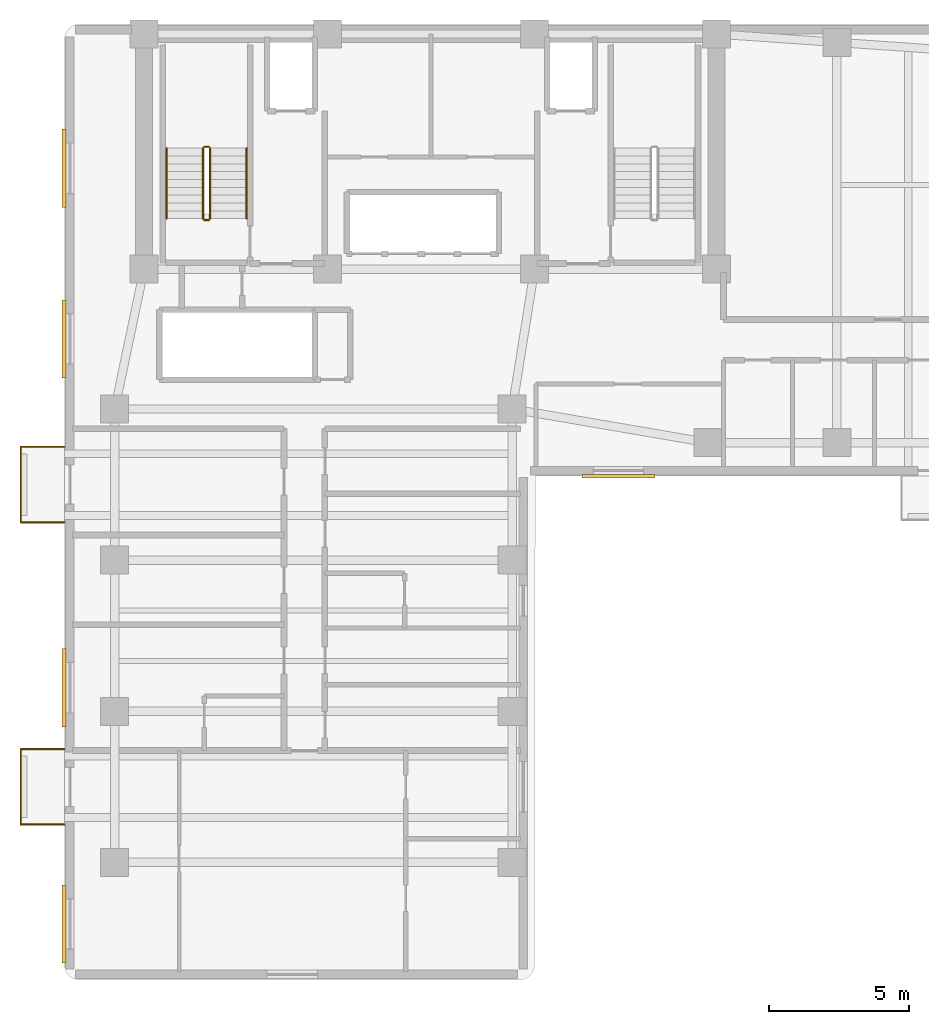
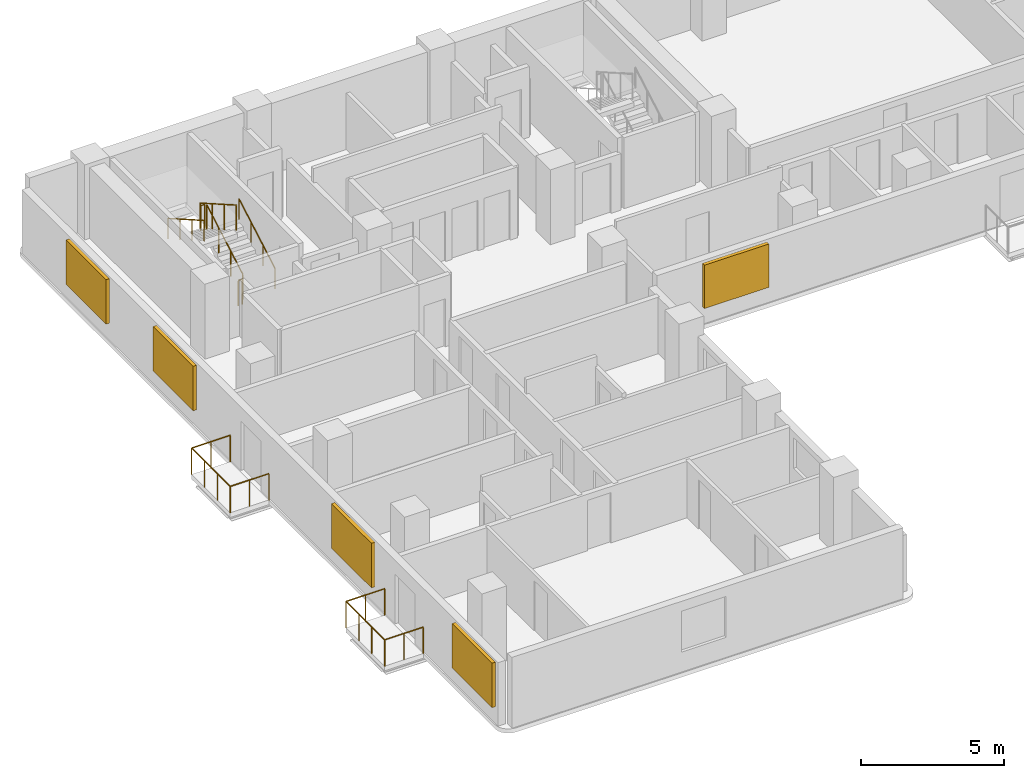
# One storey, part 6 of 7: 12 railings, 5 shading devices.
"""IFC4 building model written with IfcOpenShell, lengths in metres."""

from ifc_helpers import new_model, si_unit, direction, frame, origin, origin_2d, place, context, subcontext, project, spatial, rectangle, circle, extrude, material, layer, layer_set, type_object, element, save


model = new_model("IFC4")

# Units and contexts
model_context = context("Model", 3, precision=1e-05, world=origin(), true_north=direction((0.0, 1.0)))
body_context = subcontext(model_context, "Body", "Model", "MODEL_VIEW")
ifc_project = project(units=[si_unit("LENGTHUNIT", "METRE"), si_unit("AREAUNIT", "SQUARE_METRE"), si_unit("VOLUMEUNIT", "CUBIC_METRE"), si_unit("PLANEANGLEUNIT", "RADIAN"), si_unit("MASSUNIT", "GRAM", prefix="KILO")], contexts=[model_context])

# Site, building, storey
site_placement = place(None, origin())
site = spatial("IfcSite", under=ifc_project, at=site_placement, CompositionType="ELEMENT")
building_placement = place(site_placement, origin())
building = spatial("IfcBuilding", under=site, at=building_placement, Name="Kuzgunbayir Cultural Tower", CompositionType="ELEMENT")
storey_placement = place(building_placement, frame((0.0, 0.0, 120.199951171875)))
storey = spatial("IfcBuildingStorey", under=building, at=storey_placement, Name="L34", CompositionType="ELEMENT", Elevation=120.199951171875)

# Railings
ifc_material_1 = material(Name="Laminated Glass and Stainless Steel", Category="steel")
ifc_layer_1 = layer(ifc_material_1, 0.080078125)
ifc_layer_set_1 = layer_set([ifc_layer_1], Name="Laminated Glass and Stainless Steel")
railing_type_1 = type_object("IfcRailingType", Name="RLG-BAL-115", PredefinedType="BALUSTRADE", material=ifc_layer_set_1)
railing_1_placement = place(storey_placement, frame((3.60009765625, 13.949951171875, 0.0)))
element("IfcRailing", 1, at=railing_1_placement, inside=storey, type_object=railing_type_1, Name="L34 Balcony Guard BAL-L34-WA1 Segment 1", PredefinedType="BALUSTRADE", context=body_context, shape_type="SweptSolid", body=[
    extrude(circle(Radius=0.02392578125, at=origin_2d()), frame((0.0, 0.0, 1.1259765625), z_axis=(-1.0, 0.0, 0.0), x_axis=(0.0, -1.0, 0.0)), (0.0, 0.0, 1.0), 1.56005859375),
    extrude(circle(Radius=0.02099609375, at=origin_2d()), origin(), (0.0, 0.0, 1.0), 1.101806640625),
    extrude(circle(Radius=0.02099609375, at=origin_2d()), frame((-0.780029296875, 0.0, 0.0)), (0.0, 0.0, 1.0), 1.101806640625),
    extrude(circle(Radius=0.02099609375, at=origin_2d()), frame((-1.56005859375, 0.0, 0.0)), (0.0, 0.0, 1.0), 1.101806640625),
])
railing_2_placement = place(storey_placement, frame((2.0400390625, 13.949951171875, 0.0)))
element("IfcRailing", 2, at=railing_2_placement, inside=storey, type_object=railing_type_1, Name="L34 Balcony Guard BAL-L34-WA1 Segment 2", PredefinedType="BALUSTRADE", context=body_context, shape_type="SweptSolid", body=[
    extrude(circle(Radius=0.02392578125, at=origin_2d()), frame((0.0, 0.0, 1.1259765625), z_axis=(0.0, 1.0, 0.0), x_axis=(-1.0, 0.0, 0.0)), (0.0, 0.0, 1.0), 2.699951171875),
    extrude(circle(Radius=0.02099609375, at=origin_2d()), origin(), (0.0, 0.0, 1.0), 1.101806640625),
    extrude(circle(Radius=0.02099609375, at=origin_2d()), frame((0.0, 0.89990234375, 0.0)), (0.0, 0.0, 1.0), 1.101806640625),
    extrude(circle(Radius=0.02099609375, at=origin_2d()), frame((0.0, 1.800048828125, 0.0)), (0.0, 0.0, 1.0), 1.101806640625),
    extrude(circle(Radius=0.02099609375, at=origin_2d()), frame((0.0, 2.699951171875, 0.0)), (0.0, 0.0, 1.0), 1.101806640625),
])
railing_3_placement = place(storey_placement, frame((2.0400390625, 16.64990234375, 0.0)))
element("IfcRailing", 3, at=railing_3_placement, inside=storey, type_object=railing_type_1, Name="L34 Balcony Guard BAL-L34-WA1 Segment 3", PredefinedType="BALUSTRADE", context=body_context, shape_type="SweptSolid", body=[
    extrude(circle(Radius=0.02392578125, at=origin_2d()), frame((0.0, 0.0, 1.1259765625), z_axis=(1.0, 0.0, 0.0), x_axis=(0.0, 1.0, 0.0)), (0.0, 0.0, 1.0), 1.56005859375),
    extrude(circle(Radius=0.02099609375, at=origin_2d()), origin(), (0.0, 0.0, 1.0), 1.101806640625),
    extrude(circle(Radius=0.02099609375, at=origin_2d()), frame((0.780029296875, 0.0, 0.0)), (0.0, 0.0, 1.0), 1.101806640625),
    extrude(circle(Radius=0.02099609375, at=origin_2d()), frame((1.56005859375, 0.0, 0.0)), (0.0, 0.0, 1.0), 1.101806640625),
])
railing_4_placement = place(storey_placement, frame((3.60009765625, 24.75, 0.0)))
element("IfcRailing", 4, at=railing_4_placement, inside=storey, type_object=railing_type_1, Name="L34 Balcony Guard BAL-L34-WA3 Segment 1", PredefinedType="BALUSTRADE", context=body_context, shape_type="SweptSolid", body=[
    extrude(circle(Radius=0.02392578125, at=origin_2d()), frame((0.0, 0.0, 1.1259765625), z_axis=(-1.0, 0.0, 0.0), x_axis=(0.0, -1.0, 0.0)), (0.0, 0.0, 1.0), 1.56005859375),
    extrude(circle(Radius=0.02099609375, at=origin_2d()), origin(), (0.0, 0.0, 1.0), 1.101806640625),
    extrude(circle(Radius=0.02099609375, at=origin_2d()), frame((-0.780029296875, 0.0, 0.0)), (0.0, 0.0, 1.0), 1.101806640625),
    extrude(circle(Radius=0.02099609375, at=origin_2d()), frame((-1.56005859375, 0.0, 0.0)), (0.0, 0.0, 1.0), 1.101806640625),
])
railing_5_placement = place(storey_placement, frame((2.0400390625, 24.75, 0.0)))
element("IfcRailing", 5, at=railing_5_placement, inside=storey, type_object=railing_type_1, Name="L34 Balcony Guard BAL-L34-WA3 Segment 2", PredefinedType="BALUSTRADE", context=body_context, shape_type="SweptSolid", body=[
    extrude(circle(Radius=0.02392578125, at=origin_2d()), frame((0.0, 0.0, 1.1259765625), z_axis=(0.0, 1.0, 0.0), x_axis=(-1.0, 0.0, 0.0)), (0.0, 0.0, 1.0), 2.699951171875),
    extrude(circle(Radius=0.02099609375, at=origin_2d()), origin(), (0.0, 0.0, 1.0), 1.101806640625),
    extrude(circle(Radius=0.02099609375, at=origin_2d()), frame((0.0, 0.89990234375, 0.0)), (0.0, 0.0, 1.0), 1.101806640625),
    extrude(circle(Radius=0.02099609375, at=origin_2d()), frame((0.0, 1.800048828125, 0.0)), (0.0, 0.0, 1.0), 1.101806640625),
    extrude(circle(Radius=0.02099609375, at=origin_2d()), frame((0.0, 2.699951171875, 0.0)), (0.0, 0.0, 1.0), 1.101806640625),
])
railing_6_placement = place(storey_placement, frame((2.0400390625, 27.449951171875, 0.0)))
element("IfcRailing", 6, at=railing_6_placement, inside=storey, type_object=railing_type_1, Name="L34 Balcony Guard BAL-L34-WA3 Segment 3", PredefinedType="BALUSTRADE", context=body_context, shape_type="SweptSolid", body=[
    extrude(circle(Radius=0.02392578125, at=origin_2d()), frame((0.0, 0.0, 1.1259765625), z_axis=(1.0, 0.0, 0.0), x_axis=(0.0, 1.0, 0.0)), (0.0, 0.0, 1.0), 1.56005859375),
    extrude(circle(Radius=0.02099609375, at=origin_2d()), origin(), (0.0, 0.0, 1.0), 1.101806640625),
    extrude(circle(Radius=0.02099609375, at=origin_2d()), frame((0.780029296875, 0.0, 0.0)), (0.0, 0.0, 1.0), 1.101806640625),
    extrude(circle(Radius=0.02099609375, at=origin_2d()), frame((1.56005859375, 0.0, 0.0)), (0.0, 0.0, 1.0), 1.101806640625),
])
ifc_material_2 = material(Name="Brushed Stainless Steel", Category="steel")
ifc_layer_2 = layer(ifc_material_2, 0.050048828125)
ifc_layer_set_2 = layer_set([ifc_layer_2], Name="Brushed Stainless Steel")
railing_type_2 = type_object("IfcRailingType", Name="RLG-STAIR-HANDRAIL", PredefinedType="HANDRAIL", material=ifc_layer_set_2)
railing_7_placement = place(storey_placement, frame((10.110107421875, 35.60009765625, 0.16015625)))
element("IfcRailing", 7, at=railing_7_placement, inside=storey, type_object=railing_type_2, Name="L34 ST-1 stair handrail 1", PredefinedType="HANDRAIL", context=body_context, shape_type="SweptSolid", body=[
    extrude(circle(Radius=0.02392578125, at=origin_2d()), frame((0.0, 0.0, 0.8759765625), z_axis=(0.0, 0.868253494771, 0.496120820787), x_axis=(-1.0, 0.0, 0.0)), (0.0, 0.0, 1.0), 2.90234375),
    extrude(circle(Radius=0.02099609375, at=origin_2d()), origin(), (0.0, 0.0, 1.0), 0.851806640625),
    extrude(circle(Radius=0.02099609375, at=origin_2d()), frame((0.0, 0.840087890625, 0.47998046875)), (0.0, 0.0, 1.0), 0.851806640625),
    extrude(circle(Radius=0.02099609375, at=origin_2d()), frame((0.0, 1.679931640625, 0.9599609375)), (0.0, 0.0, 1.0), 0.851806640625),
    extrude(circle(Radius=0.02099609375, at=origin_2d()), frame((0.0, 2.52001953125, 1.43994140625)), (0.0, 0.0, 1.0), 0.851806640625),
])
railing_8_placement = place(storey_placement, frame((7.25, 38.1201171875, 1.760009765625)))
element("IfcRailing", 8, at=railing_8_placement, inside=storey, type_object=railing_type_2, Name="L34 ST-1 stair handrail 2", PredefinedType="HANDRAIL", context=body_context, shape_type="SweptSolid", body=[
    extrude(circle(Radius=0.02392578125, at=origin_2d()), frame((0.0, 0.0, 0.8759765625), z_axis=(0.0, -0.868253494771, 0.496120820787), x_axis=(1.0, 0.0, 0.0)), (0.0, 0.0, 1.0), 2.90234375),
    extrude(circle(Radius=0.02099609375, at=origin_2d()), origin(), (0.0, 0.0, 1.0), 0.851806640625),
    extrude(circle(Radius=0.02099609375, at=origin_2d()), frame((0.0, -0.840087890625, 0.47998046875)), (0.0, 0.0, 1.0), 0.851806640625),
    extrude(circle(Radius=0.02099609375, at=origin_2d()), frame((0.0, -1.679931640625, 0.9599609375)), (0.0, 0.0, 1.0), 0.851806640625),
    extrude(circle(Radius=0.02099609375, at=origin_2d()), frame((0.0, -2.52001953125, 1.43994140625)), (0.0, 0.0, 1.0), 0.851806640625),
])
ifc_material_3 = material(Name="Painted Steel Balustrade", Category="steel")
ifc_layer_3 = layer(ifc_material_3, 0.06005859375)
ifc_layer_set_3 = layer_set([ifc_layer_3], Name="Painted Steel Balustrade")
railing_type_3 = type_object("IfcRailingType", Name="RLG-WELL-GUARD", PredefinedType="GUARDRAIL", material=ifc_layer_set_3)
railing_9_placement = place(storey_placement, frame((8.81005859375, 35.60009765625, 0.16015625)))
element("IfcRailing", 9, at=railing_9_placement, inside=storey, type_object=railing_type_3, Name="L34 ST-1 stair guard 1", PredefinedType="GUARDRAIL", context=body_context, shape_type="SweptSolid", body=[
    extrude(circle(Radius=0.02392578125, at=origin_2d()), frame((0.0, 0.0, 1.076171875), z_axis=(0.0, 0.868253494771, 0.496120820787), x_axis=(-1.0, 0.0, 0.0)), (0.0, 0.0, 1.0), 2.90234375),
    extrude(circle(Radius=0.02099609375, at=origin_2d()), origin(), (0.0, 0.0, 1.0), 1.052001953125),
    extrude(circle(Radius=0.02099609375, at=origin_2d()), frame((0.0, 0.840087890625, 0.47998046875)), (0.0, 0.0, 1.0), 1.052001953125),
    extrude(circle(Radius=0.02099609375, at=origin_2d()), frame((0.0, 1.679931640625, 0.9599609375)), (0.0, 0.0, 1.0), 1.052001953125),
    extrude(circle(Radius=0.02099609375, at=origin_2d()), frame((0.0, 2.52001953125, 1.43994140625)), (0.0, 0.0, 1.0), 1.052001953125),
])
railing_10_placement = place(storey_placement, frame((8.760009765625, 38.169921875, 1.60009765625)))
element("IfcRailing", 10, at=railing_10_placement, inside=storey, type_object=railing_type_3, Name="L34 ST-1 stair guard 2", PredefinedType="GUARDRAIL", context=body_context, shape_type="SweptSolid", body=[
    extrude(circle(Radius=0.02392578125, at=origin_2d()), frame((0.0, 0.0, 1.076171875), z_axis=(-1.0, 0.0, 0.0), x_axis=(0.0, -1.0, 0.0)), (0.0, 0.0, 1.0), 0.159912109375),
    extrude(circle(Radius=0.02099609375, at=origin_2d()), origin(), (0.0, 0.0, 1.0), 1.052001953125),
    extrude(circle(Radius=0.02099609375, at=origin_2d()), frame((-0.159912109375, 0.0, 0.0)), (0.0, 0.0, 1.0), 1.052001953125),
])
railing_11_placement = place(storey_placement, frame((8.550048828125, 38.1201171875, 1.760009765625)))
element("IfcRailing", 11, at=railing_11_placement, inside=storey, type_object=railing_type_3, Name="L34 ST-1 stair guard 3", PredefinedType="GUARDRAIL", context=body_context, shape_type="SweptSolid", body=[
    extrude(circle(Radius=0.02392578125, at=origin_2d()), frame((0.0, 0.0, 1.076171875), z_axis=(0.0, -0.868253494771, 0.496120820787), x_axis=(1.0, 0.0, 0.0)), (0.0, 0.0, 1.0), 2.90234375),
    extrude(circle(Radius=0.02099609375, at=origin_2d()), origin(), (0.0, 0.0, 1.0), 1.052001953125),
    extrude(circle(Radius=0.02099609375, at=origin_2d()), frame((0.0, -0.840087890625, 0.47998046875)), (0.0, 0.0, 1.0), 1.052001953125),
    extrude(circle(Radius=0.02099609375, at=origin_2d()), frame((0.0, -1.679931640625, 0.9599609375)), (0.0, 0.0, 1.0), 1.052001953125),
    extrude(circle(Radius=0.02099609375, at=origin_2d()), frame((0.0, -2.52001953125, 1.43994140625)), (0.0, 0.0, 1.0), 1.052001953125),
])
railing_12_placement = place(storey_placement, frame((8.760009765625, 35.550048828125, 0.0)))
element("IfcRailing", 12, at=railing_12_placement, inside=storey, type_object=railing_type_3, Name="L34 ST-1 stair guard 4", PredefinedType="GUARDRAIL", context=body_context, shape_type="SweptSolid", body=[
    extrude(circle(Radius=0.02392578125, at=origin_2d()), frame((0.0, 0.0, 1.076171875), z_axis=(-1.0, 0.0, 0.0), x_axis=(0.0, -1.0, 0.0)), (0.0, 0.0, 1.0), 0.159912109375),
    extrude(circle(Radius=0.02099609375, at=origin_2d()), origin(), (0.0, 0.0, 1.0), 1.052001953125),
    extrude(circle(Radius=0.02099609375, at=origin_2d()), frame((-0.159912109375, 0.0, 0.0)), (0.0, 0.0, 1.0), 1.052001953125),
])

# Shading devices
ifc_material_4 = material(Name="Perforated Bronze-Anodised Aluminium", Category="aluminium")
shading_device_type = type_object("IfcShadingDeviceType", Name="SHD-SOLAR-BRONZE", PredefinedType="JALOUSIE", material=ifc_material_4)
for number, where, z_axis, x_axis, name in (
    (13, (3.590087890625, 18.840087890625, 0.710205078125), (0.0, 0.0, 1.0), (1.0, 0.0, 0.0), "L34 Perforated Bronze Solar Screen WAW1"),
    (14, (3.590087890625, 10.39990234375, 0.710205078125), (0.0, 0.0, 1.0), (1.0, 0.0, 0.0), "L34 Perforated Bronze Solar Screen WAW6"),
    (15, (3.590087890625, 31.300048828125, 0.710205078125), (0.0, 0.0, 1.0), (1.0, 0.0, 0.0), "L34 Perforated Bronze Solar Screen WAW7"),
    (16, (3.590087890625, 37.39990234375, 0.710205078125), (0.0, 0.0, 1.0), (1.0, 0.0, 0.0), "L34 Perforated Bronze Solar Screen WAW8"),
):
    element("IfcShadingDevice", number, at=place(storey_placement, frame(where, z_axis=z_axis, x_axis=x_axis)), inside=storey, type_object=shading_device_type, Name=name, PredefinedType="JALOUSIE", context=body_context, shape_type="SweptSolid", body=[
        extrude(rectangle(XDim=0.139892578125, YDim=2.800048828125, at=origin_2d()), origin(), (0.0, 0.0, 1.0), 1.89990234375),
    ])
shading_device_placement = place(storey_placement, frame((23.39990234375, 26.39990234375, 0.735107421875), z_axis=(0.0, 0.0, 1.0), x_axis=(1.0, 0.0, 0.0)))
element("IfcShadingDevice", 17, at=shading_device_placement, inside=storey, type_object=shading_device_type, Name="L34 Solar Screen WBS10", PredefinedType="JALOUSIE", context=body_context, shape_type="SweptSolid", body=[
    extrude(rectangle(XDim=2.60009765625, YDim=0.139892578125, at=origin_2d()), origin(), (0.0, 0.0, 1.0), 1.85009765625),
])

save(model, "model.ifc")
